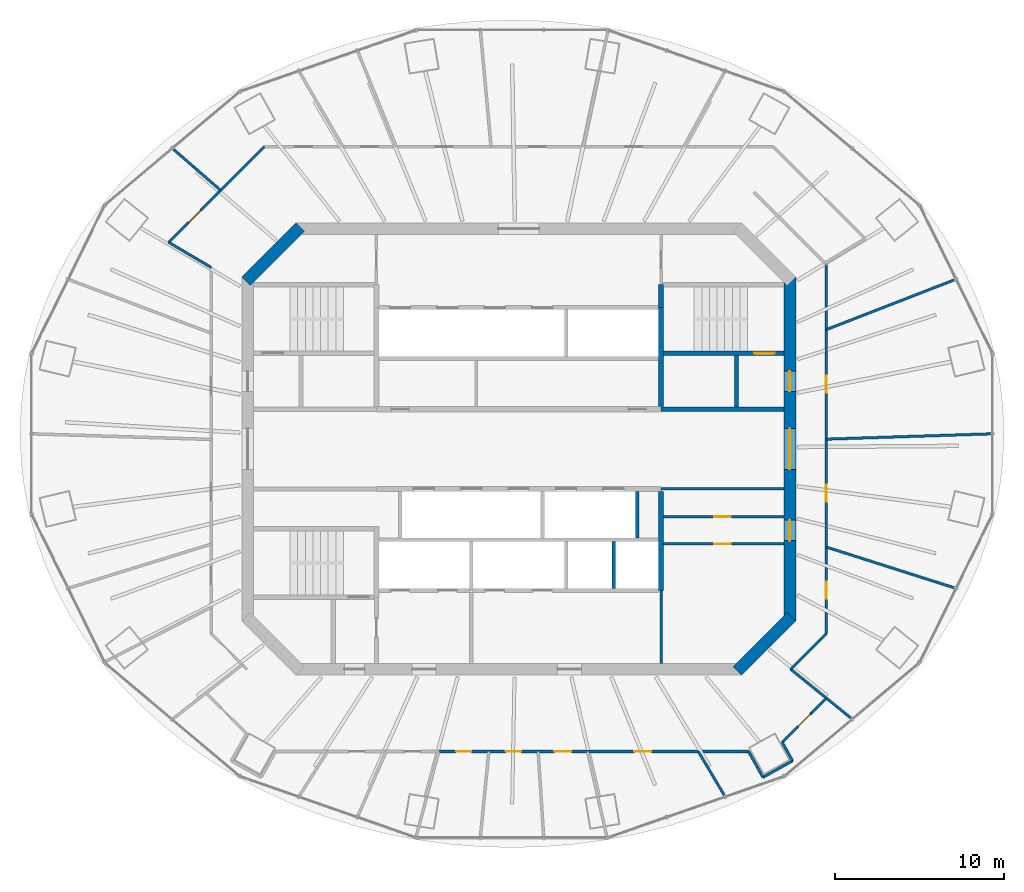
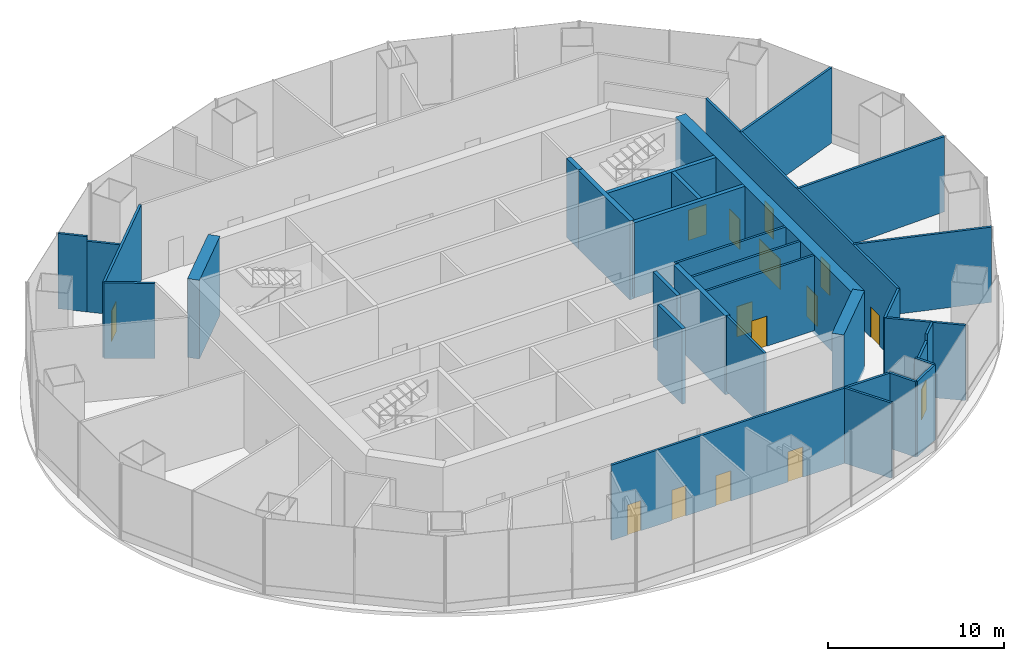
# One storey, part 10 of 12: 32 walls, 15 doors, 15 openings.
"""IFC4 building model written with IfcOpenShell, lengths in metres."""

from ifc_helpers import new_model, si_unit, direction, frame, frame_2d, origin, place, context, subcontext, project, spatial, rectangle, extrude, material, layer, layer_set, type_object, element, fill, save


model = new_model("IFC4")

# Units and contexts
model_context = context("Model", 3, precision=1e-05, world=origin(), true_north=direction((0.0, 1.0)))
body_context = subcontext(model_context, "Body", "Model", "MODEL_VIEW")
ifc_project = project(units=[si_unit("LENGTHUNIT", "METRE"), si_unit("AREAUNIT", "SQUARE_METRE"), si_unit("VOLUMEUNIT", "CUBIC_METRE"), si_unit("PLANEANGLEUNIT", "RADIAN"), si_unit("MASSUNIT", "GRAM", prefix="KILO")], contexts=[model_context])

# Site, building, storey
site_placement = place(None, origin())
site = spatial("IfcSite", under=ifc_project, at=site_placement, CompositionType="ELEMENT")
building_placement = place(site_placement, origin())
building = spatial("IfcBuilding", under=site, at=building_placement, Name="Marenthal Gate Tower", CompositionType="ELEMENT")
storey_placement = place(building_placement, frame((0.0, 0.0, 279.10009765625)))
storey = spatial("IfcBuildingStorey", under=building, at=storey_placement, Name="L62", CompositionType="ELEMENT", Elevation=279.10009765625)

# Wall
ifc_material_1 = material(Name="Concrete 60 MPa", Category="concrete")
ifc_layer_1 = layer(ifc_material_1, 0.699951171875)
ifc_layer_set_1 = layer_set([ifc_layer_1], Name="Core shear wall 700")
wall_type_1 = type_object("IfcWallType", Name="Core shear wall 700", PredefinedType="SHEAR", material=ifc_layer_set_1)
wall_1_placement = place(storey_placement, frame((12.8974609375, -13.1025390625, -0.25), z_axis=(0.0, 0.0, 1.0), x_axis=(0.707106781187, 0.707106781187, 0.0)))
element("IfcWall", 1, at=wall_1_placement, inside=storey, type_object=wall_type_1, Name="Core wall 01", PredefinedType="SHEAR", context=body_context, shape_type="SweptSolid", body=[
    extrude(rectangle(XDim=4.53271484375, YDim=0.699951171875, at=frame_2d((2.266357421875, 0.0))), origin(), (0.0, 0.0, 1.0), 5.469970703125),
])

# Wall, openings, doors
wall_2_placement = place(storey_placement, frame((16.0, -10.14501953125, -0.25), z_axis=(0.0, 0.0, 1.0), x_axis=(0.0, 1.0, 0.0)))
wall_2 = element("IfcWall", 2, at=wall_2_placement, inside=storey, type_object=wall_type_1, Name="Core wall 02", PredefinedType="SHEAR", context=body_context, shape_type="SweptSolid", body=[
    extrude(rectangle(XDim=20.2900390625, YDim=0.699951171875, at=frame_2d((10.14501953125, 0.0))), origin(), (0.0, 0.0, 1.0), 5.469970703125),
])
opening_1_placement = place(wall_2_placement, frame((8.945068359375, 0.0, 0.25)))
opening_1 = element("IfcOpeningElement", 3, at=opening_1_placement, cuts=wall_2, Name="Opening D003.02", PredefinedType="OPENING", context=body_context, shape_type="SweptSolid", body=[
    extrude(rectangle(XDim=2.39990234375, YDim=2.10009765625, at=frame_2d((1.199951171875, 1.050048828125))), frame((0.0, 0.35986328125, 0.0), z_axis=(0.0, -1.0, 0.0), x_axis=(1.0, 0.0, 0.0)), (0.0, 0.0, 1.0), 0.719970703125),
])
opening_2_placement = place(wall_2_placement, frame((13.544921875, 0.0, 0.25)))
opening_2 = element("IfcOpeningElement", 4, at=opening_2_placement, cuts=wall_2, Name="Opening D001.05", PredefinedType="OPENING", context=body_context, shape_type="SweptSolid", body=[
    extrude(rectangle(XDim=1.199951171875, YDim=2.10009765625, at=frame_2d((0.60009765625, 1.050048828125))), frame((0.0, 0.35986328125, 0.0), z_axis=(0.0, -1.0, 0.0), x_axis=(1.0, 0.0, 0.0)), (0.0, 0.0, 1.0), 0.719970703125),
])
opening_3_placement = place(wall_2_placement, frame((4.7451171875, 0.0, 0.25)))
opening_3 = element("IfcOpeningElement", 5, at=opening_3_placement, cuts=wall_2, Name="Opening D006.01", PredefinedType="OPENING", context=body_context, shape_type="SweptSolid", body=[
    extrude(rectangle(XDim=1.199951171875, YDim=2.10009765625, at=frame_2d((0.60009765625, 1.050048828125))), frame((0.0, 0.35986328125, 0.0), z_axis=(0.0, -1.0, 0.0), x_axis=(1.0, 0.0, 0.0)), (0.0, 0.0, 1.0), 0.719970703125),
])
ifc_material_2 = material(Name="Steel fire door", Category="steel")
door_type_1 = type_object("IfcDoorType", Name="Double fire door FD 45 2400 x 2100", OperationType="DOUBLE_DOOR_SINGLE_SWING", PredefinedType="DOOR", material=ifc_material_2)
door_1_placement = place(opening_1_placement, origin())
door_1 = element("IfcDoor", 6, at=door_1_placement, inside=storey, type_object=door_type_1, Name="Door D003.02", OperationType="DOUBLE_DOOR_SINGLE_SWING", OverallHeight=2.10009765625, OverallWidth=2.39990234375, PredefinedType="DOOR", context=body_context, shape_type="SweptSolid", body=[
    extrude(rectangle(XDim=2.39990234375, YDim=2.10009765625, at=frame_2d((1.199951171875, 1.050048828125))), frame((0.0, 0.02490234375, 0.0), z_axis=(0.0, -1.0, 0.0), x_axis=(1.0, 0.0, 0.0)), (0.0, 0.0, 1.0), 0.050048828125),
])
fill(opening_1, door_1)
ifc_material_3 = material(Name="Steel fire door", Category="steel")
door_type_2 = type_object("IfcDoorType", Name="Fire door FD 45 1200 x 2100", OperationType="NOTDEFINED", PredefinedType="DOOR", material=ifc_material_3)
door_2_placement = place(opening_3_placement, origin())
door_2 = element("IfcDoor", 7, at=door_2_placement, inside=storey, type_object=door_type_2, Name="Door D006.01", OperationType="SINGLE_SWING_RIGHT", OverallHeight=2.10009765625, OverallWidth=1.199951171875, PredefinedType="DOOR", context=body_context, shape_type="SweptSolid", body=[
    extrude(rectangle(XDim=1.199951171875, YDim=2.10009765625, at=frame_2d((0.60009765625, 1.050048828125))), frame((0.0, 0.02490234375, 0.0), z_axis=(0.0, -1.0, 0.0), x_axis=(1.0, 0.0, 0.0)), (0.0, 0.0, 1.0), 0.050048828125),
])
fill(opening_3, door_2)
ifc_material_4 = material(Name="Steel fire door", Category="steel")
door_type_3 = type_object("IfcDoorType", Name="Fire door FD 90 1200 x 2100", OperationType="NOTDEFINED", PredefinedType="DOOR", material=ifc_material_4)
door_3_placement = place(opening_2_placement, origin())
door_3 = element("IfcDoor", 8, at=door_3_placement, inside=storey, type_object=door_type_3, Name="Door D001.05", OperationType="SINGLE_SWING_RIGHT", OverallHeight=2.10009765625, OverallWidth=1.199951171875, PredefinedType="DOOR", context=body_context, shape_type="SweptSolid", body=[
    extrude(rectangle(XDim=1.199951171875, YDim=2.10009765625, at=frame_2d((0.60009765625, 1.050048828125))), frame((0.0, 0.02490234375, 0.0), z_axis=(0.0, -1.0, 0.0), x_axis=(1.0, 0.0, 0.0)), (0.0, 0.0, 1.0), 0.050048828125),
])
fill(opening_2, door_3)

# Walls
wall_3_placement = place(storey_placement, frame((-12.8974609375, 13.1025390625, -0.25), z_axis=(0.0, 0.0, 1.0), x_axis=(-0.707106781187, -0.707106781187, 0.0)))
element("IfcWall", 9, at=wall_3_placement, inside=storey, type_object=wall_type_1, Name="Core wall 05", PredefinedType="SHEAR", context=body_context, shape_type="SweptSolid", body=[
    extrude(rectangle(XDim=4.53271484375, YDim=0.699951171875, at=frame_2d((2.266357421875, 0.0))), origin(), (0.0, 0.0, 1.0), 5.469970703125),
])
ifc_material_5 = material(Name="Concrete 50 MPa", Category="concrete")
ifc_layer_2 = layer(ifc_material_5, 0.300048828125)
ifc_layer_set_2 = layer_set([ifc_layer_2], Name="Hoistway shear wall 300")
wall_type_2 = type_object("IfcWallType", Name="Hoistway shear wall 300", PredefinedType="SHEAR", material=ifc_layer_set_2)
for number, where, z_axis, x_axis, name in (
    (10, (8.39990234375, -8.35009765625, -0.25), (0.0, 0.0, 1.0), (0.0, 1.0, 0.0), "Hoistway wall 45"),
    (11, (8.39990234375, 2.5, -0.25), (0.0, 0.0, 1.0), (0.0, 1.0, 0.0), "Hoistway wall 46"),
):
    element("IfcWall", number, at=place(storey_placement, frame(where, z_axis=z_axis, x_axis=x_axis)), inside=storey, type_object=wall_type_2, Name=name, PredefinedType="SHEAR", context=body_context, shape_type="SweptSolid", body=[
        extrude(rectangle(XDim=5.85009765625, YDim=0.300048828125, at=frame_2d((2.925048828125, 0.0))), origin(), (0.0, 0.0, 1.0), 5.469970703125),
    ])
ifc_material_6 = material(Name="Concrete 40 MPa", Category="concrete")
ifc_layer_3 = layer(ifc_material_6, 0.219970703125)
ifc_layer_set_3 = layer_set([ifc_layer_3], Name="Hoistway wall 220")
wall_type_3 = type_object("IfcWallType", Name="Hoistway wall 220", PredefinedType="STANDARD", material=ifc_layer_set_3)
wall_4_placement = place(storey_placement, frame((5.60009765625, -8.239990234375, 0.0), z_axis=(0.0, 0.0, 1.0), x_axis=(0.0, 1.0, 0.0)))
element("IfcWall", 12, at=wall_4_placement, inside=storey, type_object=wall_type_3, Name="Hoistway wall 42", PredefinedType="STANDARD", context=body_context, shape_type="SweptSolid", body=[
    extrude(rectangle(XDim=2.780029296875, YDim=0.219970703125, at=frame_2d((1.39013671875, 0.0))), origin(), (0.0, 0.0, 1.0), 5.219970703125),
])
wall_5_placement = place(storey_placement, frame((7.0, -5.239990234375, 0.0), z_axis=(0.0, 0.0, 1.0), x_axis=(0.0, 1.0, 0.0)))
element("IfcWall", 13, at=wall_5_placement, inside=storey, type_object=wall_type_3, Name="Hoistway wall 43", PredefinedType="STANDARD", context=body_context, shape_type="SweptSolid", body=[
    extrude(rectangle(XDim=2.739990234375, YDim=0.219970703125, at=frame_2d((1.3701171875, 0.0))), origin(), (0.0, 0.0, 1.0), 5.219970703125),
])

# Wall, opening, door
ifc_material_7 = material(Name="Gypsum board on steel studs", Category="steel")
ifc_layer_4 = layer(ifc_material_7, 0.14990234375)
ifc_layer_set_4 = layer_set([ifc_layer_4], Name="Partition 150")
wall_type_4 = type_object("IfcWallType", Name="Partition 150", PredefinedType="PARTITIONING", material=ifc_layer_set_4)
wall_6_placement = place(storey_placement, frame((8.550048828125, -5.60009765625, 0.0), z_axis=(0.0, 0.0, 1.0), x_axis=(1.0, 0.0, 0.0)))
wall_6 = element("IfcWall", 14, at=wall_6_placement, inside=storey, type_object=wall_type_4, Name="Partition wall 12", PredefinedType="PARTITIONING", context=body_context, shape_type="SweptSolid", body=[
    extrude(rectangle(XDim=7.099853515625, YDim=0.14990234375, at=frame_2d((3.5498046875, 0.0))), origin(), (0.0, 0.0, 1.0), 5.219970703125),
])
opening_4_placement = place(wall_6_placement, frame((2.97509765625, 0.0, 0.0)))
opening_4 = element("IfcOpeningElement", 15, at=opening_4_placement, cuts=wall_6, Name="Opening D005.06", PredefinedType="OPENING", context=body_context, shape_type="SweptSolid", body=[
    extrude(rectangle(XDim=1.0, YDim=2.10009765625, at=frame_2d((0.5, 1.050048828125))), frame((0.0, 0.0849609375, 0.0), z_axis=(0.0, -1.0, 0.0), x_axis=(1.0, 0.0, 0.0)), (0.0, 0.0, 1.0), 0.169921875),
])
ifc_material_8 = material(Name="Steel fire door", Category="steel")
door_type_4 = type_object("IfcDoorType", Name="Fire door FD 45 1000 x 2100", OperationType="NOTDEFINED", PredefinedType="DOOR", material=ifc_material_8)
door_4_placement = place(opening_4_placement, frame((1.0, 0.0, 0.0), z_axis=(0.0, 0.0, 1.0), x_axis=(-1.0, 0.0, 0.0)))
door_4 = element("IfcDoor", 16, at=door_4_placement, inside=storey, type_object=door_type_4, Name="Door D005.06", OperationType="SINGLE_SWING_LEFT", OverallHeight=2.10009765625, OverallWidth=1.0, PredefinedType="DOOR", context=body_context, shape_type="SweptSolid", body=[
    extrude(rectangle(XDim=1.0, YDim=2.10009765625, at=frame_2d((0.5, 1.050048828125))), frame((0.0, 0.02490234375, 0.0), z_axis=(0.0, -1.0, 0.0), x_axis=(1.0, 0.0, 0.0)), (0.0, 0.0, 1.0), 0.050048828125),
])
fill(opening_4, door_4)

wall_7_placement = place(storey_placement, frame((8.550048828125, -4.0, 0.0), z_axis=(0.0, 0.0, 1.0), x_axis=(1.0, 0.0, 0.0)))
wall_7 = element("IfcWall", 17, at=wall_7_placement, inside=storey, type_object=wall_type_4, Name="Partition wall 15", PredefinedType="PARTITIONING", context=body_context, shape_type="SweptSolid", body=[
    extrude(rectangle(XDim=7.099853515625, YDim=0.14990234375, at=frame_2d((3.5498046875, 0.0))), origin(), (0.0, 0.0, 1.0), 5.219970703125),
])
opening_5_placement = place(wall_7_placement, frame((2.97509765625, 0.0, 0.0)))
opening_5 = element("IfcOpeningElement", 18, at=opening_5_placement, cuts=wall_7, Name="Opening D005.05", PredefinedType="OPENING", context=body_context, shape_type="SweptSolid", body=[
    extrude(rectangle(XDim=1.0, YDim=2.10009765625, at=frame_2d((0.5, 1.050048828125))), frame((0.0, 0.0849609375, 0.0), z_axis=(0.0, -1.0, 0.0), x_axis=(1.0, 0.0, 0.0)), (0.0, 0.0, 1.0), 0.169921875),
])
door_5_placement = place(opening_5_placement, origin())
door_5 = element("IfcDoor", 19, at=door_5_placement, inside=storey, type_object=door_type_4, Name="Door D005.05", OperationType="SINGLE_SWING_RIGHT", OverallHeight=2.10009765625, OverallWidth=1.0, PredefinedType="DOOR", context=body_context, shape_type="SweptSolid", body=[
    extrude(rectangle(XDim=1.0, YDim=2.10009765625, at=frame_2d((0.5, 1.050048828125))), frame((0.0, 0.02490234375, 0.0), z_axis=(0.0, -1.0, 0.0), x_axis=(1.0, 0.0, 0.0)), (0.0, 0.0, 1.0), 0.050048828125),
])
fill(opening_5, door_5)

# Walls
wall_8_placement = place(storey_placement, frame((8.39990234375, -2.35009765625, 0.0), z_axis=(0.0, 0.0, 1.0), x_axis=(1.0, 0.0, 0.0)))
element("IfcWall", 20, at=wall_8_placement, inside=storey, type_object=wall_type_4, Name="Partition wall 18", PredefinedType="PARTITIONING", context=body_context, shape_type="SweptSolid", body=[
    extrude(rectangle(XDim=7.25, YDim=0.14990234375, at=frame_2d((3.625, 0.0))), origin(), (0.0, 0.0, 1.0), 5.219970703125),
])
wall_9_placement = place(storey_placement, frame((8.39990234375, -12.64990234375, 0.0), z_axis=(0.0, 0.0, 1.0), x_axis=(0.0, 1.0, 0.0)))
element("IfcWall", 21, at=wall_9_placement, inside=storey, type_object=wall_type_4, Name="Partition wall 44", PredefinedType="PARTITIONING", context=body_context, shape_type="SweptSolid", body=[
    extrude(rectangle(XDim=4.2998046875, YDim=0.14990234375, at=frame_2d((2.14990234375, 0.0))), origin(), (0.0, 0.0, 1.0), 5.219970703125),
])

# Wall, openings, doors
wall_10_placement = place(storey_placement, frame((-4.731201171875, -17.85009765625, 0.0), z_axis=(0.0, 0.0, 1.0), x_axis=(1.0, 0.0, 0.0)))
wall_10 = element("IfcWall", 22, at=wall_10_placement, inside=storey, type_object=wall_type_4, Name="Partition wall 50", PredefinedType="PARTITIONING", context=body_context, shape_type="SweptSolid", body=[
    extrude(rectangle(XDim=18.2958984375, YDim=0.14990234375, at=frame_2d((9.14794921875, 0.0))), origin(), (0.0, 0.0, 1.0), 5.219970703125),
])
opening_6_placement = place(wall_10_placement, frame((1.03466796875, 0.0, 0.0)))
opening_6 = element("IfcOpeningElement", 23, at=opening_6_placement, cuts=wall_10, Name="Opening D011.04", PredefinedType="OPENING", context=body_context, shape_type="SweptSolid", body=[
    extrude(rectangle(XDim=0.89990234375, YDim=2.10009765625, at=frame_2d((0.449951171875, 1.050048828125))), frame((0.0, 0.0849609375, 0.0), z_axis=(0.0, -1.0, 0.0), x_axis=(1.0, 0.0, 0.0)), (0.0, 0.0, 1.0), 0.169921875),
])
opening_7_placement = place(wall_10_placement, frame((3.969970703125, 0.0, 0.0)))
opening_7 = element("IfcOpeningElement", 24, at=opening_7_placement, cuts=wall_10, Name="Opening D011.05", PredefinedType="OPENING", context=body_context, shape_type="SweptSolid", body=[
    extrude(rectangle(XDim=0.89990234375, YDim=2.10009765625, at=frame_2d((0.449951171875, 1.050048828125))), frame((0.0, 0.0849609375, 0.0), z_axis=(0.0, -1.0, 0.0), x_axis=(1.0, 0.0, 0.0)), (0.0, 0.0, 1.0), 0.169921875),
])
opening_8_placement = place(wall_10_placement, frame((6.831298828125, 0.0, 0.0)))
opening_8 = element("IfcOpeningElement", 25, at=opening_8_placement, cuts=wall_10, Name="Opening D012.12", PredefinedType="OPENING", context=body_context, shape_type="SweptSolid", body=[
    extrude(rectangle(XDim=1.0, YDim=2.10009765625, at=frame_2d((0.5, 1.050048828125))), frame((0.0, 0.0849609375, 0.0), z_axis=(0.0, -1.0, 0.0), x_axis=(1.0, 0.0, 0.0)), (0.0, 0.0, 1.0), 0.169921875),
])
opening_9_placement = place(wall_10_placement, frame((11.5576171875, 0.0, 0.0)))
opening_9 = element("IfcOpeningElement", 26, at=opening_9_placement, cuts=wall_10, Name="Opening D012.13", PredefinedType="OPENING", context=body_context, shape_type="SweptSolid", body=[
    extrude(rectangle(XDim=1.0, YDim=2.10009765625, at=frame_2d((0.5, 1.050048828125))), frame((0.0, 0.0849609375, 0.0), z_axis=(0.0, -1.0, 0.0), x_axis=(1.0, 0.0, 0.0)), (0.0, 0.0, 1.0), 0.169921875),
])
ifc_material_9 = material(Name="Timber door", Category="wood")
door_type_5 = type_object("IfcDoorType", Name="Door 1000 x 2100", OperationType="NOTDEFINED", PredefinedType="DOOR", material=ifc_material_9)
door_6_placement = place(opening_8_placement, frame((1.0, 0.0, 0.0), z_axis=(0.0, 0.0, 1.0), x_axis=(-1.0, 0.0, 0.0)))
door_6 = element("IfcDoor", 27, at=door_6_placement, inside=storey, type_object=door_type_5, Name="Door D012.12", OperationType="SINGLE_SWING_LEFT", OverallHeight=2.10009765625, OverallWidth=1.0, PredefinedType="DOOR", context=body_context, shape_type="SweptSolid", body=[
    extrude(rectangle(XDim=1.0, YDim=2.10009765625, at=frame_2d((0.5, 1.050048828125))), frame((0.0, 0.02490234375, 0.0), z_axis=(0.0, -1.0, 0.0), x_axis=(1.0, 0.0, 0.0)), (0.0, 0.0, 1.0), 0.050048828125),
])
fill(opening_8, door_6)
door_7_placement = place(opening_9_placement, frame((1.0, 0.0, 0.0), z_axis=(0.0, 0.0, 1.0), x_axis=(-1.0, 0.0, 0.0)))
door_7 = element("IfcDoor", 28, at=door_7_placement, inside=storey, type_object=door_type_5, Name="Door D012.13", OperationType="SINGLE_SWING_LEFT", OverallHeight=2.10009765625, OverallWidth=1.0, PredefinedType="DOOR", context=body_context, shape_type="SweptSolid", body=[
    extrude(rectangle(XDim=1.0, YDim=2.10009765625, at=frame_2d((0.5, 1.050048828125))), frame((0.0, 0.02490234375, 0.0), z_axis=(0.0, -1.0, 0.0), x_axis=(1.0, 0.0, 0.0)), (0.0, 0.0, 1.0), 0.050048828125),
])
fill(opening_9, door_7)
ifc_material_10 = material(Name="Timber door", Category="wood")
door_type_6 = type_object("IfcDoorType", Name="Door 900 x 2100", OperationType="NOTDEFINED", PredefinedType="DOOR", material=ifc_material_10)
door_8_placement = place(opening_6_placement, frame((0.89990234375, 0.0, 0.0), z_axis=(0.0, 0.0, 1.0), x_axis=(-1.0, 0.0, 0.0)))
door_8 = element("IfcDoor", 29, at=door_8_placement, inside=storey, type_object=door_type_6, Name="Door D011.04", OperationType="SINGLE_SWING_LEFT", OverallHeight=2.10009765625, OverallWidth=0.89990234375, PredefinedType="DOOR", context=body_context, shape_type="SweptSolid", body=[
    extrude(rectangle(XDim=0.89990234375, YDim=2.10009765625, at=frame_2d((0.449951171875, 1.050048828125))), frame((0.0, 0.02490234375, 0.0), z_axis=(0.0, -1.0, 0.0), x_axis=(1.0, 0.0, 0.0)), (0.0, 0.0, 1.0), 0.050048828125),
])
fill(opening_6, door_8)
door_9_placement = place(opening_7_placement, frame((0.89990234375, 0.0, 0.0), z_axis=(0.0, 0.0, 1.0), x_axis=(-1.0, 0.0, 0.0)))
door_9 = element("IfcDoor", 30, at=door_9_placement, inside=storey, type_object=door_type_6, Name="Door D011.05", OperationType="SINGLE_SWING_LEFT", OverallHeight=2.10009765625, OverallWidth=0.89990234375, PredefinedType="DOOR", context=body_context, shape_type="SweptSolid", body=[
    extrude(rectangle(XDim=0.89990234375, YDim=2.10009765625, at=frame_2d((0.449951171875, 1.050048828125))), frame((0.0, 0.02490234375, 0.0), z_axis=(0.0, -1.0, 0.0), x_axis=(1.0, 0.0, 0.0)), (0.0, 0.0, 1.0), 0.050048828125),
])
fill(opening_7, door_9)

# Walls
wall_11_placement = place(storey_placement, frame((18.14990234375, 0.584228515625, 0.0), z_axis=(0.0, 0.0, 1.0), x_axis=(0.999482417138, 0.032169827986, 0.0)))
element("IfcWall", 31, at=wall_11_placement, inside=storey, type_object=wall_type_4, Name="Partition wall 52", PredefinedType="PARTITIONING", context=body_context, shape_type="SweptSolid", body=[
    extrude(rectangle(XDim=9.797607421875, YDim=0.14990234375, at=frame_2d((4.89892578125, 0.0))), origin(), (0.0, 0.0, 1.0), 5.219970703125),
])
wall_12_placement = place(storey_placement, frame((18.14990234375, 7.04931640625, 0.0), z_axis=(0.0, 0.0, 1.0), x_axis=(0.932169041373, 0.362023311828, 0.0)))
element("IfcWall", 32, at=wall_12_placement, inside=storey, type_object=wall_type_4, Name="Partition wall 54", PredefinedType="PARTITIONING", context=body_context, shape_type="SweptSolid", body=[
    extrude(rectangle(XDim=8.1904296875, YDim=0.14990234375, at=frame_2d((4.09521484375, 0.0))), origin(), (0.0, 0.0, 1.0), 5.219970703125),
])
wall_13_placement = place(storey_placement, frame((14.41162109375, -19.375, 0.0), z_axis=(0.0, 0.0, 1.0), x_axis=(0.874255143544, 0.485466727991, 0.0)))
element("IfcWall", 33, at=wall_13_placement, inside=storey, type_object=wall_type_4, Name="Partition wall 56", PredefinedType="PARTITIONING", context=body_context, shape_type="SweptSolid", body=[
    extrude(rectangle(XDim=2.0, YDim=0.14990234375, at=frame_2d((1.0, 0.0))), origin(), (0.0, 0.0, 1.0), 5.219970703125),
])

# Wall, opening, door
wall_14_placement = place(storey_placement, frame((15.55126953125, -17.3076171875, 0.0), z_axis=(0.0, 0.0, 1.0), x_axis=(0.707106781187, 0.707106781187, 0.0)))
wall_14 = element("IfcWall", 34, at=wall_14_placement, inside=storey, type_object=wall_type_4, Name="Partition wall 59", PredefinedType="PARTITIONING", context=body_context, shape_type="SweptSolid", body=[
    extrude(rectangle(XDim=2.42822265625, YDim=0.14990234375, at=frame_2d((1.214111328125, 0.0))), origin(), (0.0, 0.0, 1.0), 4.7578125),
])
opening_10_placement = place(wall_14_placement, frame((1.328369140625, 0.0, 0.0)))
opening_10 = element("IfcOpeningElement", 35, at=opening_10_placement, cuts=wall_14, Name="Opening D012.14", PredefinedType="OPENING", context=body_context, shape_type="SweptSolid", body=[
    extrude(rectangle(XDim=1.0, YDim=2.10009765625, at=frame_2d((0.5, 1.050048828125))), frame((0.0, 0.0849609375, 0.0), z_axis=(0.0, -1.0, 0.0), x_axis=(1.0, 0.0, 0.0)), (0.0, 0.0, 1.0), 0.169921875),
])
door_10_placement = place(opening_10_placement, frame((1.0, 0.0, 0.0), z_axis=(0.0, 0.0, 1.0), x_axis=(-1.0, 0.0, 0.0)))
door_10 = element("IfcDoor", 36, at=door_10_placement, inside=storey, type_object=door_type_5, Name="Door D012.14", OperationType="SINGLE_SWING_LEFT", OverallHeight=2.10009765625, OverallWidth=1.0, PredefinedType="DOOR", context=body_context, shape_type="SweptSolid", body=[
    extrude(rectangle(XDim=1.0, YDim=2.10009765625, at=frame_2d((0.5, 1.050048828125))), frame((0.0, 0.02490234375, 0.0), z_axis=(0.0, -1.0, 0.0), x_axis=(1.0, 0.0, 0.0)), (0.0, 0.0, 1.0), 0.050048828125),
])
fill(opening_10, door_10)

# Walls
wall_15_placement = place(storey_placement, frame((17.268310546875, -15.590576171875, 0.0), z_axis=(0.0, 0.0, 1.0), x_axis=(0.707106781187, 0.707106781187, 0.0)))
element("IfcWall", 37, at=wall_15_placement, inside=storey, type_object=wall_type_4, Name="Partition wall 93", PredefinedType="PARTITIONING", context=body_context, shape_type="SweptSolid", body=[
    extrude(rectangle(XDim=1.22802734375, YDim=0.14990234375, at=frame_2d((0.614013671875, 0.0))), origin(), (0.0, 0.0, 1.0), 5.219970703125),
])
wall_16_placement = place(storey_placement, frame((16.04638671875, -12.994140625, 0.0), z_axis=(0.0, 0.0, 1.0), x_axis=(0.707106781187, 0.707106781187, 0.0)))
element("IfcWall", 38, at=wall_16_placement, inside=storey, type_object=wall_type_4, Name="Partition wall 60", PredefinedType="PARTITIONING", context=body_context, shape_type="SweptSolid", body=[
    extrude(rectangle(XDim=2.974853515625, YDim=0.14990234375, at=frame_2d((1.4873046875, 0.0))), origin(), (0.0, 0.0, 1.0), 5.219970703125),
])

# Wall, opening, door
wall_17_placement = place(storey_placement, frame((-20.6591796875, 12.19970703125, 0.0), z_axis=(0.0, 0.0, 1.0), x_axis=(0.707091504448, 0.707122057596, 0.0)))
wall_17 = element("IfcWall", 39, at=wall_17_placement, inside=storey, type_object=wall_type_4, Name="Partition wall 61", PredefinedType="PARTITIONING", context=body_context, shape_type="SweptSolid", body=[
    extrude(rectangle(XDim=7.99072265625, YDim=0.14990234375, at=frame_2d((3.995361328125, 0.0))), origin(), (0.0, 0.0, 1.0), 5.219970703125),
])
opening_11_placement = place(wall_17_placement, frame((1.669921875, 0.0, 0.0)))
opening_11 = element("IfcOpeningElement", 40, at=opening_11_placement, cuts=wall_17, Name="Opening D012.07", PredefinedType="OPENING", context=body_context, shape_type="SweptSolid", body=[
    extrude(rectangle(XDim=1.0, YDim=2.10009765625, at=frame_2d((0.5, 1.050048828125))), frame((0.0, 0.0849609375, 0.0), z_axis=(0.0, -1.0, 0.0), x_axis=(1.0, 0.0, 0.0)), (0.0, 0.0, 1.0), 0.169921875),
])
door_11_placement = place(opening_11_placement, origin())
door_11 = element("IfcDoor", 41, at=door_11_placement, inside=storey, type_object=door_type_5, Name="Door D012.07", OperationType="SINGLE_SWING_RIGHT", OverallHeight=2.10009765625, OverallWidth=1.0, PredefinedType="DOOR", context=body_context, shape_type="SweptSolid", body=[
    extrude(rectangle(XDim=1.0, YDim=2.10009765625, at=frame_2d((0.5, 1.050048828125))), frame((0.0, 0.02490234375, 0.0), z_axis=(0.0, -1.0, 0.0), x_axis=(1.0, 0.0, 0.0)), (0.0, 0.0, 1.0), 0.050048828125),
])
fill(opening_11, door_11)

# Wall, openings, doors
wall_18_placement = place(storey_placement, frame((18.14990234375, -10.890625, 0.0), z_axis=(0.0, 0.0, 1.0), x_axis=(0.0, 1.0, 0.0)))
wall_18 = element("IfcWall", 42, at=wall_18_placement, inside=storey, type_object=wall_type_4, Name="Partition wall 65", PredefinedType="PARTITIONING", context=body_context, shape_type="SweptSolid", body=[
    extrude(rectangle(XDim=21.78125, YDim=0.14990234375, at=frame_2d((10.890625, 0.0))), origin(), (0.0, 0.0, 1.0), 5.219970703125),
])
opening_12_placement = place(wall_18_placement, frame((2.0537109375, 0.0, 0.0)))
opening_12 = element("IfcOpeningElement", 43, at=opening_12_placement, cuts=wall_18, Name="Opening D012.15", PredefinedType="OPENING", context=body_context, shape_type="SweptSolid", body=[
    extrude(rectangle(XDim=1.0, YDim=2.10009765625, at=frame_2d((0.5, 1.050048828125))), frame((0.0, 0.0849609375, 0.0), z_axis=(0.0, -1.0, 0.0), x_axis=(1.0, 0.0, 0.0)), (0.0, 0.0, 1.0), 0.169921875),
])
opening_13_placement = place(wall_18_placement, frame((7.791015625, 0.0, 0.0)))
opening_13 = element("IfcOpeningElement", 44, at=opening_13_placement, cuts=wall_18, Name="Opening D012.16", PredefinedType="OPENING", context=body_context, shape_type="SweptSolid", body=[
    extrude(rectangle(XDim=1.0, YDim=2.10009765625, at=frame_2d((0.5, 1.050048828125))), frame((0.0, 0.0849609375, 0.0), z_axis=(0.0, -1.0, 0.0), x_axis=(1.0, 0.0, 0.0)), (0.0, 0.0, 1.0), 0.169921875),
])
opening_14_placement = place(wall_18_placement, frame((14.207275390625, 0.0, 0.0)))
opening_14 = element("IfcOpeningElement", 45, at=opening_14_placement, cuts=wall_18, Name="Opening D012.17", PredefinedType="OPENING", context=body_context, shape_type="SweptSolid", body=[
    extrude(rectangle(XDim=1.0, YDim=2.10009765625, at=frame_2d((0.5, 1.050048828125))), frame((0.0, 0.0849609375, 0.0), z_axis=(0.0, -1.0, 0.0), x_axis=(1.0, 0.0, 0.0)), (0.0, 0.0, 1.0), 0.169921875),
])
door_12_placement = place(opening_12_placement, frame((1.0, 0.0, 0.0), z_axis=(0.0, 0.0, 1.0), x_axis=(-1.0, 0.0, 0.0)))
door_12 = element("IfcDoor", 46, at=door_12_placement, inside=storey, type_object=door_type_5, Name="Door D012.15", OperationType="SINGLE_SWING_LEFT", OverallHeight=2.10009765625, OverallWidth=1.0, PredefinedType="DOOR", context=body_context, shape_type="SweptSolid", body=[
    extrude(rectangle(XDim=1.0, YDim=2.10009765625, at=frame_2d((0.5, 1.050048828125))), frame((0.0, 0.02490234375, 0.0), z_axis=(0.0, -1.0, 0.0), x_axis=(1.0, 0.0, 0.0)), (0.0, 0.0, 1.0), 0.050048828125),
])
fill(opening_12, door_12)
door_13_placement = place(opening_13_placement, frame((1.0, 0.0, 0.0), z_axis=(0.0, 0.0, 1.0), x_axis=(-1.0, 0.0, 0.0)))
door_13 = element("IfcDoor", 47, at=door_13_placement, inside=storey, type_object=door_type_5, Name="Door D012.16", OperationType="SINGLE_SWING_LEFT", OverallHeight=2.10009765625, OverallWidth=1.0, PredefinedType="DOOR", context=body_context, shape_type="SweptSolid", body=[
    extrude(rectangle(XDim=1.0, YDim=2.10009765625, at=frame_2d((0.5, 1.050048828125))), frame((0.0, 0.02490234375, 0.0), z_axis=(0.0, -1.0, 0.0), x_axis=(1.0, 0.0, 0.0)), (0.0, 0.0, 1.0), 0.050048828125),
])
fill(opening_13, door_13)
door_14_placement = place(opening_14_placement, frame((1.0, 0.0, 0.0), z_axis=(0.0, 0.0, 1.0), x_axis=(-1.0, 0.0, 0.0)))
door_14 = element("IfcDoor", 48, at=door_14_placement, inside=storey, type_object=door_type_5, Name="Door D012.17", OperationType="SINGLE_SWING_LEFT", OverallHeight=2.10009765625, OverallWidth=1.0, PredefinedType="DOOR", context=body_context, shape_type="SweptSolid", body=[
    extrude(rectangle(XDim=1.0, YDim=2.10009765625, at=frame_2d((0.5, 1.050048828125))), frame((0.0, 0.02490234375, 0.0), z_axis=(0.0, -1.0, 0.0), x_axis=(1.0, 0.0, 0.0)), (0.0, 0.0, 1.0), 0.050048828125),
])
fill(opening_14, door_14)

# Walls
wall_19_placement = place(storey_placement, frame((16.16015625, -18.404052734375, 0.0), z_axis=(0.0, 0.0, 1.0), x_axis=(-0.485576805941, 0.874194009092, 0.0)))
element("IfcWall", 49, at=wall_19_placement, inside=storey, type_object=wall_type_4, Name="Partition wall 71", PredefinedType="PARTITIONING", context=body_context, shape_type="SweptSolid", body=[
    extrude(rectangle(XDim=1.25390625, YDim=0.14990234375, at=frame_2d((0.626953125, 0.0))), origin(), (0.0, 0.0, 1.0), 5.219970703125),
])
wall_20_placement = place(storey_placement, frame((14.41162109375, -19.375, 0.0), z_axis=(0.0, 0.0, 1.0), x_axis=(-0.485535973732, 0.874216688363, 0.0)))
element("IfcWall", 50, at=wall_20_placement, inside=storey, type_object=wall_type_4, Name="Partition wall 72", PredefinedType="PARTITIONING", context=body_context, shape_type="SweptSolid", body=[
    extrude(rectangle(XDim=1.744384765625, YDim=0.14990234375, at=frame_2d((0.8720703125, 0.0))), origin(), (0.0, 0.0, 1.0), 5.219970703125),
])
wall_21_placement = place(storey_placement, frame((12.17138671875, -20.50244140625, 0.0), z_axis=(0.0, 0.0, 1.0), x_axis=(-0.510509494535, 0.859872116067, 0.0)))
element("IfcWall", 51, at=wall_21_placement, inside=storey, type_object=wall_type_4, Name="Partition wall 74", PredefinedType="PARTITIONING", context=body_context, shape_type="SweptSolid", body=[
    extrude(rectangle(XDim=3.08447265625, YDim=0.14990234375, at=frame_2d((1.542236328125, 0.0))), origin(), (0.0, 0.0, 1.0), 5.219970703125),
])
wall_22_placement = place(storey_placement, frame((-17.5908203125, 15.268310546875, 0.0), z_axis=(0.0, 0.0, 1.0), x_axis=(-0.755191662586, 0.655504044808, 0.0)))
element("IfcWall", 52, at=wall_22_placement, inside=storey, type_object=wall_type_4, Name="Partition wall 78", PredefinedType="PARTITIONING", context=body_context, shape_type="SweptSolid", body=[
    extrude(rectangle(XDim=2.106201171875, YDim=0.14990234375, at=frame_2d((1.05322265625, 0.0))), origin(), (0.0, 0.0, 1.0), 4.909912109375),
])
wall_23_placement = place(storey_placement, frame((-19.181396484375, 16.64892578125, 0.0), z_axis=(0.0, 0.0, 1.0), x_axis=(-0.755229676687, 0.655460247041, 0.0)))
element("IfcWall", 53, at=wall_23_placement, inside=storey, type_object=wall_type_4, Name="Partition wall 98", PredefinedType="PARTITIONING", context=body_context, shape_type="SweptSolid", body=[
    extrude(rectangle(XDim=1.66650390625, YDim=0.14990234375, at=frame_2d((0.833251953125, 0.0))), origin(), (0.0, 0.0, 1.0), 5.219970703125),
])
wall_24_placement = place(storey_placement, frame((19.657958984375, -15.918701171875, 0.0), z_axis=(0.0, 0.0, 1.0), x_axis=(-0.777148316215, 0.629317483155, 0.0)))
element("IfcWall", 54, at=wall_24_placement, inside=storey, type_object=wall_type_4, Name="Partition wall 79", PredefinedType="PARTITIONING", context=body_context, shape_type="SweptSolid", body=[
    extrude(rectangle(XDim=4.65234375, YDim=0.14990234375, at=frame_2d((2.326171875, 0.0))), origin(), (0.0, 0.0, 1.0), 5.219970703125),
])
wall_25_placement = place(storey_placement, frame((-18.14990234375, 10.718017578125, 0.0), z_axis=(0.0, 0.0, 1.0), x_axis=(-0.861086603375, 0.508458318339, 0.0)))
element("IfcWall", 55, at=wall_25_placement, inside=storey, type_object=wall_type_4, Name="Partition wall 80", PredefinedType="PARTITIONING", context=body_context, shape_type="SweptSolid", body=[
    extrude(rectangle(XDim=2.9140625, YDim=0.14990234375, at=frame_2d((1.45703125, 0.0))), origin(), (0.0, 0.0, 1.0), 5.219970703125),
])
wall_26_placement = place(storey_placement, frame((25.7841796875, -8.215576171875, 0.0), z_axis=(0.0, 0.0, 1.0), x_axis=(-0.952807256027, 0.303575909555, 0.0)))
element("IfcWall", 56, at=wall_26_placement, inside=storey, type_object=wall_type_4, Name="Partition wall 82", PredefinedType="PARTITIONING", context=body_context, shape_type="SweptSolid", body=[
    extrude(rectangle(XDim=8.012451171875, YDim=0.14990234375, at=frame_2d((4.00634765625, 0.0))), origin(), (0.0, 0.0, 1.0), 5.219970703125),
])
ifc_material_11 = material(Name="Concrete 40 MPa", Category="concrete")
ifc_layer_5 = layer(ifc_material_11, 0.25)
ifc_layer_set_5 = layer_set([ifc_layer_5], Name="Stair enclosure wall 250")
wall_type_5 = type_object("IfcWallType", Name="Stair enclosure wall 250", PredefinedType="STANDARD", material=ifc_layer_set_5)
wall_27_placement = place(storey_placement, frame((8.39990234375, 2.35009765625, 0.0), z_axis=(0.0, 0.0, 1.0), x_axis=(1.0, 0.0, 0.0)))
element("IfcWall", 57, at=wall_27_placement, inside=storey, type_object=wall_type_5, Name="Stair wall 21", PredefinedType="STANDARD", context=body_context, shape_type="SweptSolid", body=[
    extrude(rectangle(XDim=7.25, YDim=0.25, at=frame_2d((3.625, 0.0))), origin(), (0.0, 0.0, 1.0), 5.219970703125),
])
wall_28_placement = place(storey_placement, frame((12.85009765625, 2.47509765625, 0.0), z_axis=(0.0, 0.0, 1.0), x_axis=(0.0, 1.0, 0.0)))
element("IfcWall", 58, at=wall_28_placement, inside=storey, type_object=wall_type_5, Name="Stair wall 49", PredefinedType="STANDARD", context=body_context, shape_type="SweptSolid", body=[
    extrude(rectangle(XDim=3.0498046875, YDim=0.25, at=frame_2d((1.52490234375, 0.0))), origin(), (0.0, 0.0, 1.0), 5.219970703125),
])

# Wall, opening, door
ifc_material_12 = material(Name="Concrete 50 MPa", Category="concrete")
ifc_layer_6 = layer(ifc_material_12, 0.25)
ifc_layer_set_6 = layer_set([ifc_layer_6], Name="Stair shear wall 250")
wall_type_6 = type_object("IfcWallType", Name="Stair shear wall 250", PredefinedType="SHEAR", material=ifc_layer_set_6)
wall_29_placement = place(storey_placement, frame((8.550048828125, 5.64990234375, -0.25), z_axis=(0.0, 0.0, 1.0), x_axis=(1.0, 0.0, 0.0)))
wall_29 = element("IfcWall", 59, at=wall_29_placement, inside=storey, type_object=wall_type_6, Name="Stair wall 24", PredefinedType="SHEAR", context=body_context, shape_type="SweptSolid", body=[
    extrude(rectangle(XDim=7.099853515625, YDim=0.25, at=frame_2d((3.5498046875, 0.0))), origin(), (0.0, 0.0, 1.0), 5.469970703125),
])
opening_15_placement = place(wall_29_placement, frame((5.35009765625, 0.0, 0.25)))
opening_15 = element("IfcOpeningElement", 60, at=opening_15_placement, cuts=wall_29, Name="Opening D001.02", PredefinedType="OPENING", context=body_context, shape_type="SweptSolid", body=[
    extrude(rectangle(XDim=1.199951171875, YDim=2.10009765625, at=frame_2d((0.60009765625, 1.050048828125))), frame((0.0, 0.135009765625, 0.0), z_axis=(0.0, -1.0, 0.0), x_axis=(1.0, 0.0, 0.0)), (0.0, 0.0, 1.0), 0.27001953125),
])
door_15_placement = place(opening_15_placement, origin())
door_15 = element("IfcDoor", 61, at=door_15_placement, inside=storey, type_object=door_type_3, Name="Door D001.02", OperationType="SINGLE_SWING_RIGHT", OverallHeight=2.10009765625, OverallWidth=1.199951171875, PredefinedType="DOOR", context=body_context, shape_type="SweptSolid", body=[
    extrude(rectangle(XDim=1.199951171875, YDim=2.10009765625, at=frame_2d((0.60009765625, 1.050048828125))), frame((0.0, 0.02490234375, 0.0), z_axis=(0.0, -1.0, 0.0), x_axis=(1.0, 0.0, 0.0)), (0.0, 0.0, 1.0), 0.050048828125),
])
fill(opening_15, door_15)

# Wall
ifc_material_13 = material(Name="Concrete 50 MPa", Category="concrete")
ifc_layer_7 = layer(ifc_material_13, 0.300048828125)
ifc_layer_set_7 = layer_set([ifc_layer_7], Name="Stair shear wall 300")
wall_type_7 = type_object("IfcWallType", Name="Stair shear wall 300", PredefinedType="SHEAR", material=ifc_layer_set_7)
wall_30_placement = place(storey_placement, frame((8.39990234375, 8.35009765625, -0.25), z_axis=(0.0, 0.0, 1.0), x_axis=(0.0, 1.0, 0.0)))
element("IfcWall", 62, at=wall_30_placement, inside=storey, type_object=wall_type_7, Name="Stair wall 47", PredefinedType="SHEAR", context=body_context, shape_type="SweptSolid", body=[
    extrude(rectangle(XDim=1.349853515625, YDim=0.300048828125, at=frame_2d((0.6748046875, 0.0))), origin(), (0.0, 0.0, 1.0), 5.469970703125),
])

save(model, "model.ifc")
